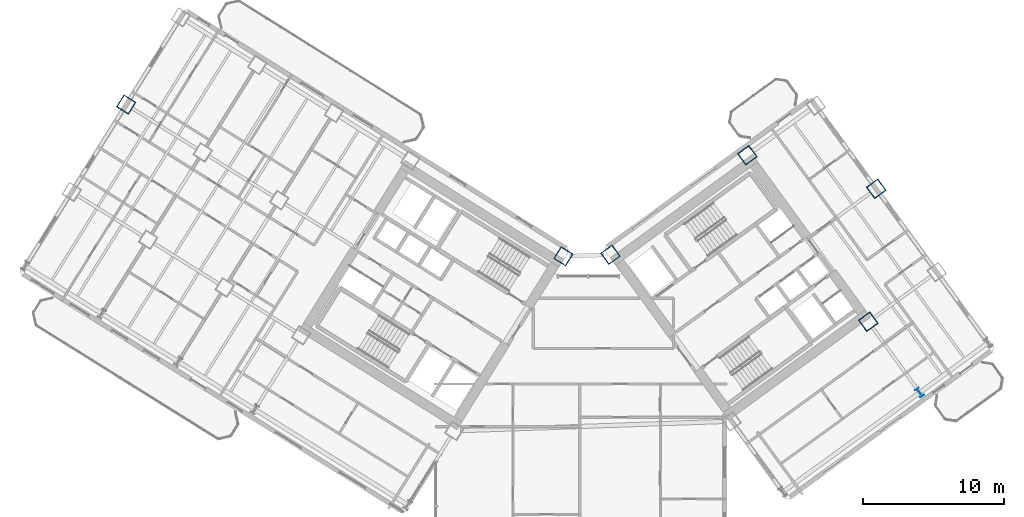
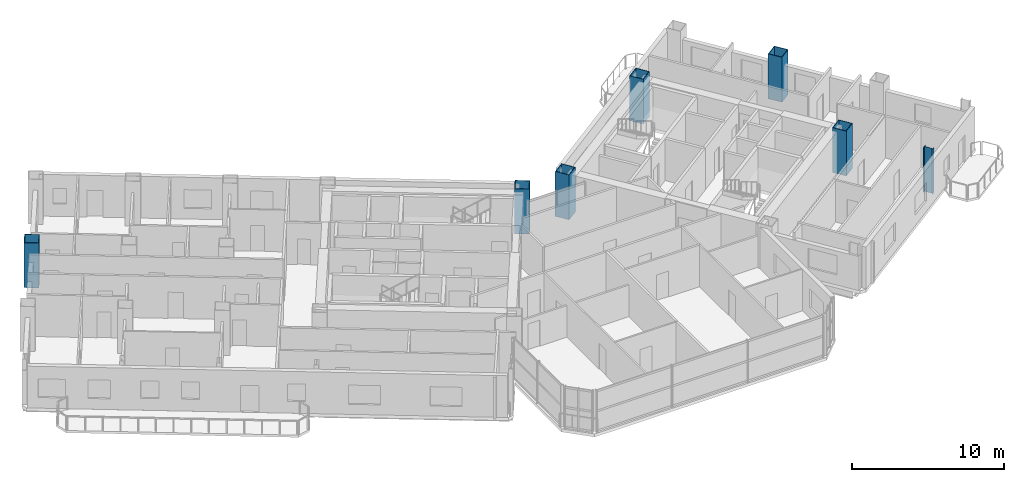
# One storey, part 2 of 24: 7 columns.
"""IFC4 building model written with IfcOpenShell, lengths in metres."""

from ifc_helpers import new_model, si_unit, direction, frame, origin, origin_2d, place, context, subcontext, project, spatial, hollow_rectangle, i_section, extrude, source, transform, mapped, material, material_profile, profile_set, type_object, element, save


model = new_model("IFC4")

# Units and contexts
model_context = context("Model", 3, precision=1e-05, world=origin(), true_north=direction((0.0, 1.0)))
body_context = subcontext(model_context, "Body", "Model", "MODEL_VIEW")
ifc_project = project(units=[si_unit("LENGTHUNIT", "METRE"), si_unit("AREAUNIT", "SQUARE_METRE"), si_unit("VOLUMEUNIT", "CUBIC_METRE"), si_unit("PLANEANGLEUNIT", "RADIAN"), si_unit("MASSUNIT", "GRAM", prefix="KILO")], contexts=[model_context])

# Site, building, storey
site_placement = place(None, origin())
site = spatial("IfcSite", under=ifc_project, at=site_placement, CompositionType="ELEMENT")
building_placement = place(site_placement, origin())
building = spatial("IfcBuilding", under=site, at=building_placement, Name="Tlacorven Tower", CompositionType="ELEMENT")
storey_placement = place(building_placement, frame((0.0, 0.0, 45.60009765625)))
storey = spatial("IfcBuildingStorey", under=building, at=storey_placement, Name="L11", CompositionType="ELEMENT", Elevation=45.60009765625)

# Columns
ifc_material = material(Name="Steel S460M", Category="steel")
ifc_material_profile_1 = material_profile(ifc_material, hollow_rectangle(XDim=1.0, YDim=1.0, WallThickness=0.0400390625, at=origin_2d()), Name="BOX 1000X1000X40")
ifc_profile_set_1 = profile_set([ifc_material_profile_1], Name="Steel S460M")
column_type_1 = type_object("IfcColumnType", Name="COL-TWR-S1", PredefinedType="COLUMN", material=ifc_profile_set_1)
shared_shape_1 = source(origin(), body_context, "Body", "SweptSolid", [
    extrude(hollow_rectangle(XDim=1.0, YDim=1.0, WallThickness=0.0400390625, at=origin_2d()), origin(), (0.0, 0.0, 1.0), 3.599853515625),
])
for number, where, z_axis, x_axis, name in (
    (1, (40.782958984375, 24.468505859375, 0.0), (0.0, 0.0, 1.0), (-0.848048096156, 0.529919264233, 0.0), "L11 column COL-L11-W1-1"),
    (2, (9.777099609375, 35.235107421875, 0.0), (0.0, 0.0, 1.0), (-0.848048096156, 0.529919264233, 0.0), "L11 column COL-L11-W6-2"),
    (3, (44.123779296875, 24.5849609375, 0.0), (0.0, 0.0, 1.0), (0.809016994375, 0.587785252292, 0.0), "L11 column COL-L11-E1-4"),
    (4, (62.41357421875, 19.826904296875, 0.0), (0.0, 0.0, 1.0), (0.809016994375, 0.587785252292, 0.0), "L11 column COL-L11-E3-2"),
    (5, (53.83203125, 31.638427734375, 0.0), (0.0, 0.0, 1.0), (0.809016994375, 0.587785252292, 0.0), "L11 column COL-L11-E3-4"),
    (6, (62.976806640625, 29.25927734375, 0.0), (0.0, 0.0, 1.0), (0.809016994375, 0.587785252292, 0.0), "L11 column COL-L11-E4-3"),
):
    element("IfcColumn", number, at=place(storey_placement, frame(where, z_axis=z_axis, x_axis=x_axis)), inside=storey, type_object=column_type_1, Name=name, PredefinedType="COLUMN", context=body_context, shape_type="MappedRepresentation", body=[
        mapped(shared_shape_1, transform((0.0, 0.0, 0.0), scale=1.0)),
    ])
ifc_material_profile_2 = material_profile(ifc_material, i_section(OverallWidth=0.300048828125, OverallDepth=0.64990234375, WebThickness=0.01611328125, FlangeThickness=0.031005859375, at=origin_2d()), Name="HEB 650")
ifc_profile_set_2 = profile_set([ifc_material_profile_2], Name="Steel S460M")
column_type_2 = type_object("IfcColumnType", Name="COL-TWR-P1", PredefinedType="COLUMN", material=ifc_profile_set_2)
shared_shape_2 = source(origin(), body_context, "Body", "SweptSolid", [
    extrude(i_section(OverallWidth=0.300048828125, OverallDepth=0.64990234375, WebThickness=0.01611328125, FlangeThickness=0.031005859375, at=origin_2d()), origin(), (0.0, 0.0, 1.0), 3.599853515625),
])
column_placement = place(storey_placement, frame((66.057861328125, 14.81103515625, 0.0), z_axis=(0.0, 0.0, 1.0), x_axis=(0.809016994375, 0.587785252292, 0.0)))
element("IfcColumn", 7, at=column_placement, inside=storey, type_object=column_type_2, Name="L11 column COL-L11-E3-1", PredefinedType="COLUMN", context=body_context, shape_type="MappedRepresentation", body=[
    mapped(shared_shape_2, transform((0.0, 0.0, 0.0), scale=1.0)),
])

save(model, "model.ifc")
